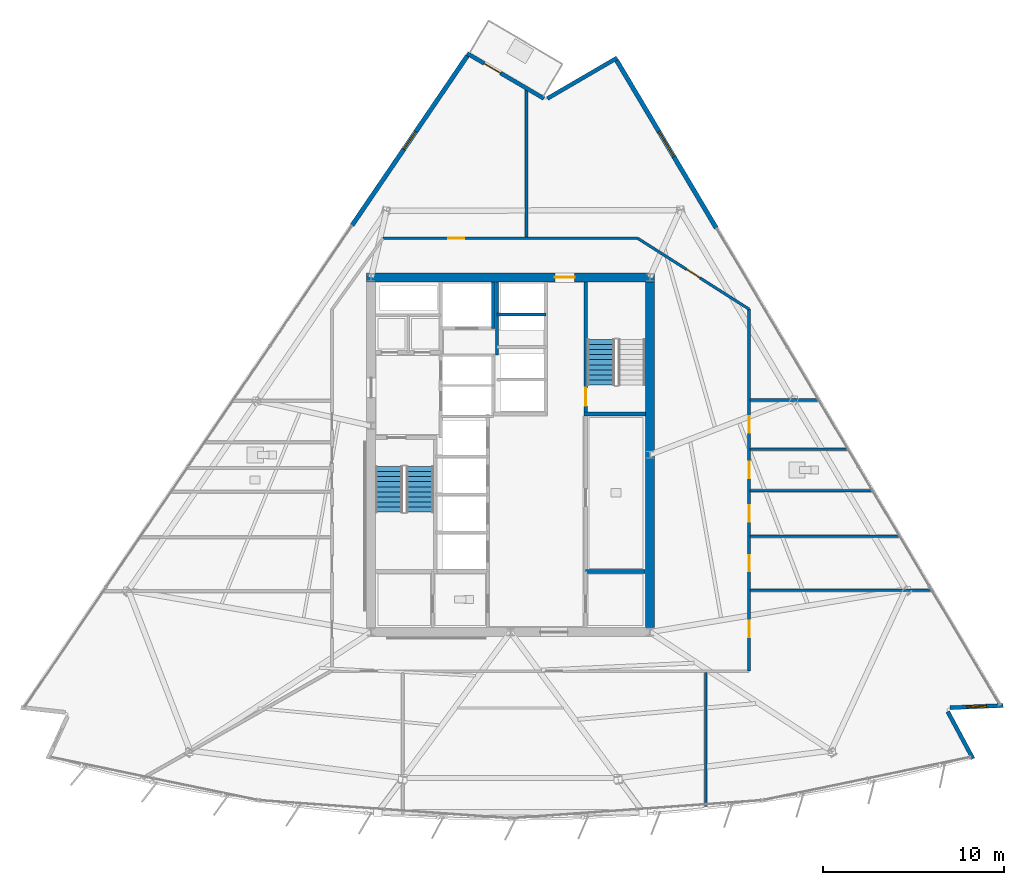
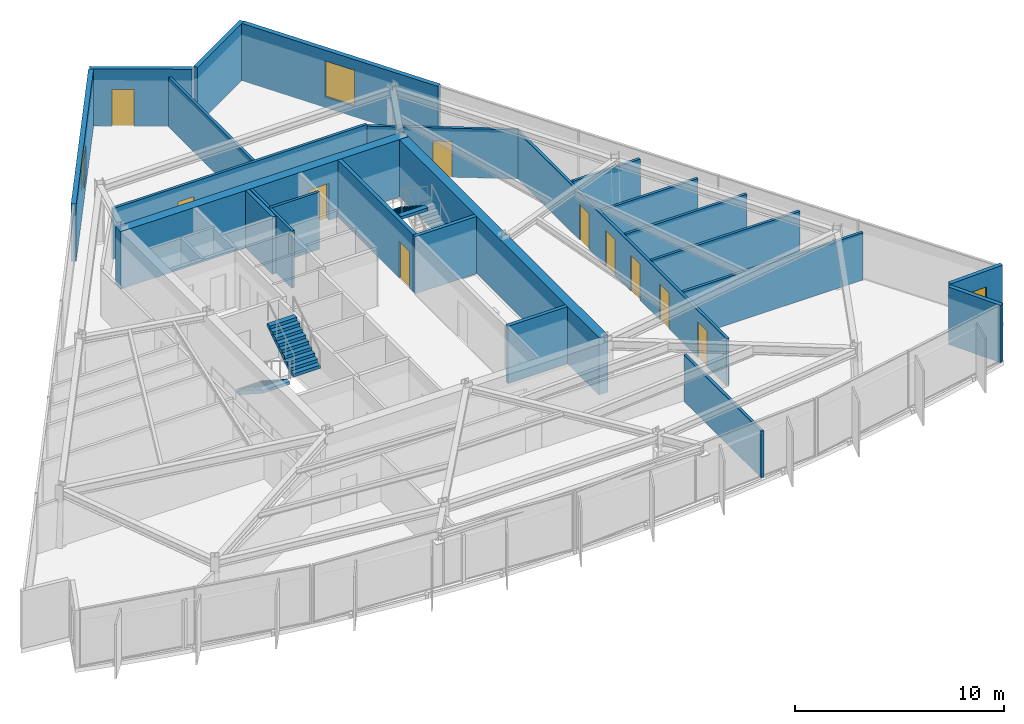
# One storey, part 10 of 16: 24 walls, 10 doors, 3 stair flights, 3 windows, 13 openings, 2 elements without a shape of their own.
"""IFC4 building model written with IfcOpenShell, lengths in metres."""

from ifc_helpers import new_model, si_unit, direction, frame, frame_2d, origin, place, context, subcontext, project, spatial, polyline, rectangle, outline, extrude, material, layer, layer_set, type_object, element, fill, aggregate, save


model = new_model("IFC4")

# Units and contexts
model_context = context("Model", 3, precision=1e-05, world=origin(), true_north=direction((0.0, 1.0)))
body_context = subcontext(model_context, "Body", "Model", "MODEL_VIEW")
ifc_project = project(units=[si_unit("LENGTHUNIT", "METRE"), si_unit("AREAUNIT", "SQUARE_METRE"), si_unit("VOLUMEUNIT", "CUBIC_METRE"), si_unit("PLANEANGLEUNIT", "RADIAN"), si_unit("MASSUNIT", "GRAM", prefix="KILO")], contexts=[model_context])

# Site, building, storey
site_placement = place(None, origin())
site = spatial("IfcSite", under=ifc_project, at=site_placement, CompositionType="ELEMENT")
building_placement = place(site_placement, origin())
building = spatial("IfcBuilding", under=site, at=building_placement, Name="Savorim Split Tower", CompositionType="ELEMENT")
storey_placement = place(building_placement, frame((0.0, 0.0, 156.60009765625)))
storey = spatial("IfcBuildingStorey", under=building, at=storey_placement, Name="L41", CompositionType="ELEMENT", Elevation=156.60009765625)

# Wall, opening, door
ifc_material_1 = material(Name="Concrete C60/75", Category="concrete")
ifc_layer_1 = layer(ifc_material_1, 0.5)
ifc_layer_set_1 = layer_set([ifc_layer_1], Name="WAL-COR-SH500")
wall_type_1 = type_object("IfcWallType", Name="WAL-COR-SH500", PredefinedType="SHEAR", material=ifc_layer_set_1)
wall_1_placement = place(storey_placement, frame((7.949951171875, 10.199951171875, 0.0), z_axis=(0.0, 0.0, 1.0), x_axis=(-1.0, 0.0, 0.0)))
wall_1 = element("IfcWall", 1, at=wall_1_placement, inside=storey, type_object=wall_type_1, Name="L41 Offset Core North Shear Wall", PredefinedType="SHEAR", context=body_context, shape_type="SweptSolid", body=[
    extrude(rectangle(XDim=15.89990234375, YDim=0.5, at=frame_2d((7.949951171875, 0.0))), origin(), (0.0, 0.0, 1.0), 3.349853515625),
])
opening_1_placement = place(wall_1_placement, frame((4.39990234375, 0.0, 0.0)))
opening_1 = element("IfcOpeningElement", 2, at=opening_1_placement, cuts=wall_1, Name="Opening DI-03", PredefinedType="OPENING", context=body_context, shape_type="SweptSolid", body=[
    extrude(rectangle(XDim=1.10009765625, YDim=2.14990234375, at=frame_2d((0.550048828125, 1.074951171875))), frame((0.0, 0.260009765625, 0.0), z_axis=(0.0, -1.0, 0.0), x_axis=(1.0, 0.0, 0.0)), (0.0, 0.0, 1.0), 0.52001953125),
])
ifc_material_2 = material(Name="Timber Fire Door Leaf", Category="wood")
door_type_1 = type_object("IfcDoorType", Name="DOR-FIR-1100", OperationType="NOTDEFINED", PredefinedType="DOOR", material=ifc_material_2)
door_1_placement = place(opening_1_placement, origin())
door_1 = element("IfcDoor", 3, at=door_1_placement, inside=storey, type_object=door_type_1, Name="DOR-L41-COR-NLOB - L41 North Corridor Lobby Fire Door", OperationType="SINGLE_SWING_RIGHT", OverallHeight=2.14990234375, OverallWidth=1.10009765625, PredefinedType="DOOR", context=body_context, shape_type="SweptSolid", body=[
    extrude(rectangle(XDim=1.10009765625, YDim=2.14990234375, at=frame_2d((0.550048828125, 1.074951171875))), frame((0.0, 0.02490234375, 0.0), z_axis=(0.0, -1.0, 0.0), x_axis=(1.0, 0.0, 0.0)), (0.0, 0.0, 1.0), 0.050048828125),
])
fill(opening_1, door_1)

# Walls
wall_2_placement = place(storey_placement, frame((7.699951171875, 9.949951171875, 0.0), z_axis=(0.0, 0.0, 1.0), x_axis=(0.0, -1.0, 0.0)))
element("IfcWall", 4, at=wall_2_placement, inside=storey, type_object=wall_type_1, Name="L41 Offset Core East Shear Wall", PredefinedType="SHEAR", context=body_context, shape_type="SweptSolid", body=[
    extrude(rectangle(XDim=19.099853515625, YDim=0.5, at=frame_2d((9.5498046875, 0.0))), origin(), (0.0, 0.0, 1.0), 3.349853515625),
])
ifc_material_3 = material(Name="Precast concrete C40/50", Category="concrete")
ifc_layer_2 = layer(ifc_material_3, 0.219970703125)
ifc_layer_set_2 = layer_set([ifc_layer_2], Name="WAL-EXT-CRN220")
wall_type_2 = type_object("IfcWallType", Name="WAL-EXT-CRN220", PredefinedType="SOLIDWALL", material=ifc_layer_set_2)
wall_3_placement = place(storey_placement, frame((24.15478515625, -13.789794921875, 0.0), z_axis=(0.0, 0.0, 1.0), x_axis=(0.472795751791, -0.881172047383, 0.0)))
element("IfcWall", 5, at=wall_3_placement, inside=storey, type_object=wall_type_2, Name="L41 Notched Corner Facade Wall SE1", PredefinedType="SOLIDWALL", context=body_context, shape_type="SweptSolid", body=[
    extrude(rectangle(XDim=2.948486328125, YDim=0.219970703125, at=frame_2d((1.47412109375, 0.0))), origin(), (0.0, 0.0, 1.0), 3.349853515625),
])

# Wall, opening, window
wall_4_placement = place(storey_placement, frame((27.219482421875, -13.450927734375, 0.0), z_axis=(0.0, 0.0, 1.0), x_axis=(-0.999095615947, -0.042519997593, 0.0)))
wall_4 = element("IfcWall", 6, at=wall_4_placement, inside=storey, type_object=wall_type_2, Name="L41 Notched Corner Facade Wall SE", PredefinedType="SOLIDWALL", context=body_context, shape_type="SweptSolid", body=[
    extrude(rectangle(XDim=2.945556640625, YDim=0.219970703125, at=frame_2d((1.47265625, 0.0))), origin(), (0.0, 0.0, 1.0), 3.349853515625),
])
opening_2_placement = place(wall_4_placement, frame((0.9228515625, 0.0, 0.6201171875)))
opening_2 = element("IfcOpeningElement", 7, at=opening_2_placement, cuts=wall_4, Name="Opening WN-09", PredefinedType="OPENING", context=body_context, shape_type="SweptSolid", body=[
    extrude(rectangle(XDim=1.10009765625, YDim=1.800048828125, at=frame_2d((0.550048828125, 0.89990234375))), frame((0.0, 0.119873046875, 0.0), z_axis=(0.0, -1.0, 0.0), x_axis=(1.0, 0.0, 0.0)), (0.0, 0.0, 1.0), 0.239990234375),
])
ifc_material_4 = material(Name="Low-E Operable Double Glazing", Category="glass")
window_type_1 = type_object("IfcWindowType", Name="WIN-TWR-1100x1800", PartitioningType="SINGLE_PANEL", PredefinedType="WINDOW", material=ifc_material_4)
window_1_placement = place(opening_2_placement, origin())
window_1 = element("IfcWindow", 8, at=window_1_placement, inside=storey, type_object=window_type_1, Name="L41 Operable Corner Window SE", OverallHeight=1.800048828125, OverallWidth=1.10009765625, PartitioningType="SINGLE_PANEL", PredefinedType="WINDOW", context=body_context, shape_type="SweptSolid", body=[
    extrude(rectangle(XDim=1.10009765625, YDim=1.800048828125, at=frame_2d((0.550048828125, 0.89990234375))), frame((0.0, 0.030029296875, 0.0), z_axis=(0.0, -1.0, 0.0), x_axis=(1.0, 0.0, 0.0)), (0.0, 0.0, 1.0), 0.06005859375),
])
fill(opening_2, window_1)

# Wall
wall_5_placement = place(storey_placement, frame((2.03857421875, 20.079345703125, 0.0), z_axis=(0.0, 0.0, 1.0), x_axis=(0.86398603623, 0.503515768571, 0.0)))
element("IfcWall", 9, at=wall_5_placement, inside=storey, type_object=wall_type_2, Name="L41 Notched Corner Facade Wall NE1", PredefinedType="SOLIDWALL", context=body_context, shape_type="SweptSolid", body=[
    extrude(rectangle(XDim=4.4443359375, YDim=0.219970703125, at=frame_2d((2.22216796875, 0.0))), origin(), (0.0, 0.0, 1.0), 3.349853515625),
])

# Wall, opening, door
wall_6_placement = place(storey_placement, frame((-2.384521484375, 22.5673828125, 0.0), z_axis=(0.0, 0.0, 1.0), x_axis=(0.8621258938, -0.506694131839, 0.0)))
wall_6 = element("IfcWall", 10, at=wall_6_placement, inside=storey, type_object=wall_type_2, Name="L41 Notched Corner Facade Wall N", PredefinedType="SOLIDWALL", context=body_context, shape_type="SweptSolid", body=[
    extrude(rectangle(XDim=4.909912109375, YDim=0.219970703125, at=frame_2d((2.455078125, 0.0))), origin(), (0.0, 0.0, 1.0), 3.349853515625),
])
opening_3_placement = place(wall_6_placement, frame((1.079833984375, 0.0, 0.0)))
opening_3 = element("IfcOpeningElement", 11, at=opening_3_placement, cuts=wall_6, Name="Opening DB-01", PredefinedType="OPENING", context=body_context, shape_type="SweptSolid", body=[
    extrude(rectangle(XDim=1.050048828125, YDim=2.14990234375, at=frame_2d((0.52490234375, 1.074951171875))), frame((0.0, 0.119873046875, 0.0), z_axis=(0.0, -1.0, 0.0), x_axis=(1.0, 0.0, 0.0)), (0.0, 0.0, 1.0), 0.239990234375),
])
ifc_material_5 = material(Name="Charcoal Anodised Aluminium", Category="aluminium")
door_type_2 = type_object("IfcDoorType", Name="DOR-BAL-1050", OperationType="NOTDEFINED", PredefinedType="DOOR", material=ifc_material_5)
door_2_placement = place(opening_3_placement, origin())
door_2 = element("IfcDoor", 12, at=door_2_placement, inside=storey, type_object=door_type_2, Name="DOR-L41-TBAL-N - L41 Planted Tree Balcony Door N", OperationType="SINGLE_SWING_RIGHT", OverallHeight=2.14990234375, OverallWidth=1.050048828125, PredefinedType="DOOR", context=body_context, shape_type="SweptSolid", body=[
    extrude(rectangle(XDim=1.050048828125, YDim=2.14990234375, at=frame_2d((0.52490234375, 1.074951171875))), frame((0.0, 0.02490234375, 0.0), z_axis=(0.0, -1.0, 0.0), x_axis=(1.0, 0.0, 0.0)), (0.0, 0.0, 1.0), 0.050048828125),
])
fill(opening_3, door_2)

# Wall, opening, window
ifc_layer_3 = layer(ifc_material_3, 0.25)
ifc_layer_set_3 = layer_set([ifc_layer_3], Name="WAL-EXT-SPN250")
wall_type_3 = type_object("IfcWallType", Name="WAL-EXT-SPN250", PredefinedType="SOLIDWALL", material=ifc_layer_set_3)
wall_7_placement = place(storey_placement, frame((5.86181640625, 22.1904296875, 0.0), z_axis=(0.0, 0.0, 1.0), x_axis=(0.511083986456, -0.859530778267, 0.0)))
wall_7 = element("IfcWall", 13, at=wall_7_placement, inside=storey, type_object=wall_type_3, Name="L41 East Operable Window Pier", PredefinedType="SOLIDWALL", context=body_context, shape_type="SweptSolid", body=[
    extrude(rectangle(XDim=10.778076171875, YDim=0.25, at=frame_2d((5.38916015625, 0.0))), origin(), (0.0, 0.0, 1.0), 3.349853515625),
])
opening_4_placement = place(wall_7_placement, frame((4.589111328125, 0.0, 0.6201171875)))
opening_4 = element("IfcOpeningElement", 14, at=opening_4_placement, cuts=wall_7, Name="Opening WN-05", PredefinedType="OPENING", context=body_context, shape_type="SweptSolid", body=[
    extrude(rectangle(XDim=1.60009765625, YDim=2.10009765625, at=frame_2d((0.800048828125, 1.050048828125))), frame((0.0, 0.135009765625, 0.0), z_axis=(0.0, -1.0, 0.0), x_axis=(1.0, 0.0, 0.0)), (0.0, 0.0, 1.0), 0.27001953125),
])
window_type_2 = type_object("IfcWindowType", Name="WIN-TWR-1600x2100", PartitioningType="DOUBLE_PANEL_VERTICAL", PredefinedType="WINDOW", material=ifc_material_4)
window_2_placement = place(opening_4_placement, origin())
window_2 = element("IfcWindow", 15, at=window_2_placement, inside=storey, type_object=window_type_2, Name="L41 East Operable Ventilation Window", OverallHeight=2.10009765625, OverallWidth=1.60009765625, PartitioningType="SINGLE_PANEL", PredefinedType="WINDOW", context=body_context, shape_type="SweptSolid", body=[
    extrude(rectangle(XDim=1.60009765625, YDim=2.10009765625, at=frame_2d((0.800048828125, 1.050048828125))), frame((0.0, 0.030029296875, 0.0), z_axis=(0.0, -1.0, 0.0), x_axis=(1.0, 0.0, 0.0)), (0.0, 0.0, 1.0), 0.06005859375),
])
fill(opening_4, window_2)

wall_8_placement = place(storey_placement, frame((-8.75048828125, 13.080810546875, 0.0), z_axis=(0.0, 0.0, 1.0), x_axis=(0.562463958751, 0.82682180372, 0.0)))
wall_8 = element("IfcWall", 16, at=wall_8_placement, inside=storey, type_object=wall_type_3, Name="L41 West Operable Window Pier", PredefinedType="SOLIDWALL", context=body_context, shape_type="SweptSolid", body=[
    extrude(rectangle(XDim=11.321533203125, YDim=0.25, at=frame_2d((5.66064453125, 0.0))), origin(), (0.0, 0.0, 1.0), 3.349853515625),
])
opening_5_placement = place(wall_8_placement, frame((5.060791015625, 0.0, 0.6201171875)))
opening_5 = element("IfcOpeningElement", 17, at=opening_5_placement, cuts=wall_8, Name="Opening WN-08", PredefinedType="OPENING", context=body_context, shape_type="SweptSolid", body=[
    extrude(rectangle(XDim=1.199951171875, YDim=1.800048828125, at=frame_2d((0.60009765625, 0.89990234375))), frame((0.0, 0.135009765625, 0.0), z_axis=(0.0, -1.0, 0.0), x_axis=(1.0, 0.0, 0.0)), (0.0, 0.0, 1.0), 0.27001953125),
])
window_type_3 = type_object("IfcWindowType", Name="WIN-TWR-1200x1800", PartitioningType="SINGLE_PANEL", PredefinedType="WINDOW", material=ifc_material_4)
window_3_placement = place(opening_5_placement, origin())
window_3 = element("IfcWindow", 18, at=window_3_placement, inside=storey, type_object=window_type_3, Name="L41 West Operable Ventilation Window", OverallHeight=1.800048828125, OverallWidth=1.199951171875, PartitioningType="SINGLE_PANEL", PredefinedType="WINDOW", context=body_context, shape_type="SweptSolid", body=[
    extrude(rectangle(XDim=1.199951171875, YDim=1.800048828125, at=frame_2d((0.60009765625, 0.89990234375))), frame((0.0, 0.030029296875, 0.0), z_axis=(0.0, -1.0, 0.0), x_axis=(1.0, 0.0, 0.0)), (0.0, 0.0, 1.0), 0.06005859375),
])
fill(opening_5, window_3)

# Wall, opening, door
ifc_material_6 = material(Name="Concrete C50/60", Category="concrete")
ifc_layer_4 = layer(ifc_material_6, 0.199951171875)
ifc_layer_set_4 = layer_set([ifc_layer_4], Name="WAL-INT-RC200")
wall_type_4 = type_object("IfcWallType", Name="WAL-INT-RC200", PredefinedType="SOLIDWALL", material=ifc_layer_set_4)
wall_9_placement = place(storey_placement, frame((4.14990234375, 2.75, 0.0), z_axis=(0.0, 0.0, 1.0), x_axis=(0.0, 1.0, 0.0)))
wall_9 = element("IfcWall", 19, at=wall_9_placement, inside=storey, type_object=wall_type_4, Name="L41 Structural Shaft Wall W-L41-CR07", PredefinedType="SOLIDWALL", context=body_context, shape_type="SweptSolid", body=[
    extrude(rectangle(XDim=7.199951171875, YDim=0.199951171875, at=frame_2d((3.60009765625, 0.0))), origin(), (0.0, 0.0, 1.0), 3.349853515625),
])
opening_6_placement = place(wall_9_placement, frame((0.35009765625, 0.0, 0.0)))
opening_6 = element("IfcOpeningElement", 20, at=opening_6_placement, cuts=wall_9, Name="Opening DI-04", PredefinedType="OPENING", context=body_context, shape_type="SweptSolid", body=[
    extrude(rectangle(XDim=1.0, YDim=2.14990234375, at=frame_2d((0.5, 1.074951171875))), frame((0.0, 0.10986328125, 0.0), z_axis=(0.0, -1.0, 0.0), x_axis=(1.0, 0.0, 0.0)), (0.0, 0.0, 1.0), 0.219970703125),
])
door_type_3 = type_object("IfcDoorType", Name="DOR-FIR-1000", OperationType="NOTDEFINED", PredefinedType="DOOR", material=ifc_material_2)
door_3_placement = place(opening_6_placement, origin())
door_3 = element("IfcDoor", 21, at=door_3_placement, inside=storey, type_object=door_type_3, Name="DR-L41-ST2 - L41 Stair ST-2 Enclosure Door", OperationType="SINGLE_SWING_RIGHT", OverallHeight=2.14990234375, OverallWidth=1.0, PredefinedType="DOOR", context=body_context, shape_type="SweptSolid", body=[
    extrude(rectangle(XDim=1.0, YDim=2.14990234375, at=frame_2d((0.5, 1.074951171875))), frame((0.0, 0.02490234375, 0.0), z_axis=(0.0, -1.0, 0.0), x_axis=(1.0, 0.0, 0.0)), (0.0, 0.0, 1.0), 0.050048828125),
])
fill(opening_6, door_3)

# Walls
wall_10_placement = place(storey_placement, frame((4.050048828125, 2.64990234375, 0.0), z_axis=(0.0, 0.0, 1.0), x_axis=(1.0, 0.0, 0.0)))
element("IfcWall", 22, at=wall_10_placement, inside=storey, type_object=wall_type_4, Name="L41 Structural Shaft Wall W-L41-CR08", PredefinedType="SOLIDWALL", context=body_context, shape_type="SweptSolid", body=[
    extrude(rectangle(XDim=3.39990234375, YDim=0.199951171875, at=frame_2d((1.699951171875, 0.0))), origin(), (0.0, 0.0, 1.0), 3.349853515625),
])
wall_11_placement = place(storey_placement, frame((-0.949951171875, 7.3798828125, 0.0), z_axis=(0.0, 0.0, 1.0), x_axis=(0.0, 1.0, 0.0)))
element("IfcWall", 23, at=wall_11_placement, inside=storey, type_object=wall_type_4, Name="L41 Partition W-L41-SVLE", PredefinedType="SOLIDWALL", context=body_context, shape_type="SweptSolid", body=[
    extrude(rectangle(XDim=2.565185546875, YDim=0.199951171875, at=frame_2d((1.28271484375, 0.0))), origin(), (0.0, 0.0, 1.0), 3.349853515625),
])
wall_12_placement = place(storey_placement, frame((4.14990234375, -6.050048828125, 0.0), z_axis=(0.0, 0.0, 1.0), x_axis=(1.0, 0.0, 0.0)))
element("IfcWall", 24, at=wall_12_placement, inside=storey, type_object=wall_type_4, Name="L41 Partition W-L41-KSEP-E", PredefinedType="SOLIDWALL", context=body_context, shape_type="SweptSolid", body=[
    extrude(rectangle(XDim=3.295166015625, YDim=0.199951171875, at=frame_2d((1.6474609375, 0.0))), origin(), (0.0, 0.0, 1.0), 3.349853515625),
])
ifc_material_7 = material(Name="Acoustic Gypsum Partition Board")
ifc_layer_5 = layer(ifc_material_7, 0.14990234375)
ifc_layer_set_5 = layer_set([ifc_layer_5], Name="WAL-PAR-150")
wall_type_5 = type_object("IfcWallType", Name="WAL-PAR-150", PredefinedType="PARTITIONING", material=ifc_layer_set_5)
wall_13_placement = place(storey_placement, frame((-0.75, 5.919921875, 0.0), z_axis=(0.0, 0.0, 1.0), x_axis=(0.0, 1.0, 0.0)))
element("IfcWall", 25, at=wall_13_placement, inside=storey, type_object=wall_type_5, Name="L41 Partition W-L41-B3WEST", PredefinedType="PARTITIONING", context=body_context, shape_type="SweptSolid", body=[
    extrude(rectangle(XDim=4.025146484375, YDim=0.14990234375, at=frame_2d((2.0126953125, 0.0))), origin(), (0.0, 0.0, 1.0), 3.349853515625),
])
wall_14_placement = place(storey_placement, frame((-0.75, 8.14990234375, 0.0), z_axis=(0.0, 0.0, 1.0), x_axis=(1.0, 0.0, 0.0)))
element("IfcWall", 26, at=wall_14_placement, inside=storey, type_object=wall_type_5, Name="L41 Partition W-L41-B3DIV3", PredefinedType="PARTITIONING", context=body_context, shape_type="SweptSolid", body=[
    extrude(rectangle(XDim=2.699951171875, YDim=0.14990234375, at=frame_2d((1.35009765625, 0.0))), origin(), (0.0, 0.0, 1.0), 3.349853515625),
])

# Wall, opening, door
wall_15_placement = place(storey_placement, frame((-7.041015625, 12.360107421875, 0.0), z_axis=(0.0, 0.0, 1.0), x_axis=(1.0, 0.0, 0.0)))
wall_15 = element("IfcWall", 27, at=wall_15_placement, inside=storey, type_object=wall_type_5, Name="L41 Partition W-L41-COR-03", PredefinedType="PARTITIONING", context=body_context, shape_type="SweptSolid", body=[
    extrude(rectangle(XDim=14.064208984375, YDim=0.14990234375, at=frame_2d((7.0322265625, 0.0))), origin(), (0.0, 0.0, 1.0), 2.96484375),
])
opening_7_placement = place(wall_15_placement, frame((3.59912109375, 0.0, 0.0)))
opening_7 = element("IfcOpeningElement", 28, at=opening_7_placement, cuts=wall_15, Name="Opening DI-06", PredefinedType="OPENING", context=body_context, shape_type="SweptSolid", body=[
    extrude(rectangle(XDim=0.89990234375, YDim=2.10009765625, at=frame_2d((0.449951171875, 1.050048828125))), frame((0.0, 0.0849609375, 0.0), z_axis=(0.0, -1.0, 0.0), x_axis=(1.0, 0.0, 0.0)), (0.0, 0.0, 1.0), 0.169921875),
])
door_type_4 = type_object("IfcDoorType", Name="DOR-FIR-900", OperationType="NOTDEFINED", PredefinedType="DOOR", material=ifc_material_2)
door_4_placement = place(opening_7_placement, origin())
door_4 = element("IfcDoor", 29, at=door_4_placement, inside=storey, type_object=door_type_4, Name="DR-L41-RM14 - L41 Co-Working Commons Entry Door", OperationType="SINGLE_SWING_LEFT", OverallHeight=2.10009765625, OverallWidth=0.89990234375, PredefinedType="DOOR", context=body_context, shape_type="SweptSolid", body=[
    extrude(rectangle(XDim=0.89990234375, YDim=2.10009765625, at=frame_2d((0.449951171875, 1.050048828125))), frame((0.0, 0.02490234375, 0.0), z_axis=(0.0, -1.0, 0.0), x_axis=(1.0, 0.0, 0.0)), (0.0, 0.0, 1.0), 0.050048828125),
])
fill(opening_7, door_4)

wall_16_placement = place(storey_placement, frame((7.023193359375, 12.360107421875, 0.0), z_axis=(0.0, 0.0, 1.0), x_axis=(0.84376480085, -0.536713108511, 0.0)))
wall_16 = element("IfcWall", 30, at=wall_16_placement, inside=storey, type_object=wall_type_5, Name="L41 Partition W-L41-COR-04", PredefinedType="PARTITIONING", context=body_context, shape_type="SweptSolid", body=[
    extrude(rectangle(XDim=7.296630859375, YDim=0.14990234375, at=frame_2d((3.6484375, 0.0))), origin(), (0.0, 0.0, 1.0), 2.875),
])
opening_8_placement = place(wall_16_placement, frame((3.1982421875, 0.0, 0.0)))
opening_8 = element("IfcOpeningElement", 31, at=opening_8_placement, cuts=wall_16, Name="Opening DI-06", PredefinedType="OPENING", context=body_context, shape_type="SweptSolid", body=[
    extrude(rectangle(XDim=0.89990234375, YDim=2.10009765625, at=frame_2d((0.449951171875, 1.050048828125))), frame((0.0, 0.0849609375, 0.0), z_axis=(0.0, -1.0, 0.0), x_axis=(1.0, 0.0, 0.0)), (0.0, 0.0, 1.0), 0.169921875),
])
door_5_placement = place(opening_8_placement, origin())
door_5 = element("IfcDoor", 32, at=door_5_placement, inside=storey, type_object=door_type_4, Name="DR-L41-RM13 - L41 Co-Working Commons Entry Door", OperationType="SINGLE_SWING_RIGHT", OverallHeight=2.10009765625, OverallWidth=0.89990234375, PredefinedType="DOOR", context=body_context, shape_type="SweptSolid", body=[
    extrude(rectangle(XDim=0.89990234375, YDim=2.10009765625, at=frame_2d((0.449951171875, 1.050048828125))), frame((0.0, 0.02490234375, 0.0), z_axis=(0.0, -1.0, 0.0), x_axis=(1.0, 0.0, 0.0)), (0.0, 0.0, 1.0), 0.050048828125),
])
fill(opening_8, door_5)

# Wall, openings, doors
wall_17_placement = place(storey_placement, frame((13.179931640625, 8.44384765625, 0.0), z_axis=(0.0, 0.0, 1.0), x_axis=(0.0, -1.0, 0.0)))
wall_17 = element("IfcWall", 33, at=wall_17_placement, inside=storey, type_object=wall_type_5, Name="L41 Partition W-L41-COR-05", PredefinedType="PARTITIONING", context=body_context, shape_type="SweptSolid", body=[
    extrude(rectangle(XDim=20.00390625, YDim=0.14990234375, at=frame_2d((10.001953125, 0.0))), origin(), (0.0, 0.0, 1.0), 2.77490234375),
])
opening_9_placement = place(wall_17_placement, frame((17.2255859375, 0.0, 0.0)))
opening_9 = element("IfcOpeningElement", 34, at=opening_9_placement, cuts=wall_17, Name="Opening DI-06", PredefinedType="OPENING", context=body_context, shape_type="SweptSolid", body=[
    extrude(rectangle(XDim=0.89990234375, YDim=2.10009765625, at=frame_2d((0.449951171875, 1.050048828125))), frame((0.0, 0.0849609375, 0.0), z_axis=(0.0, -1.0, 0.0), x_axis=(1.0, 0.0, 0.0)), (0.0, 0.0, 1.0), 0.169921875),
])
opening_10_placement = place(wall_17_placement, frame((13.587158203125, 0.0, 0.0)))
opening_10 = element("IfcOpeningElement", 35, at=opening_10_placement, cuts=wall_17, Name="Opening DI-06", PredefinedType="OPENING", context=body_context, shape_type="SweptSolid", body=[
    extrude(rectangle(XDim=0.89990234375, YDim=2.10009765625, at=frame_2d((0.449951171875, 1.050048828125))), frame((0.0, 0.0849609375, 0.0), z_axis=(0.0, -1.0, 0.0), x_axis=(1.0, 0.0, 0.0)), (0.0, 0.0, 1.0), 0.169921875),
])
opening_11_placement = place(wall_17_placement, frame((10.84423828125, 0.0, 0.0)))
opening_11 = element("IfcOpeningElement", 36, at=opening_11_placement, cuts=wall_17, Name="Opening DI-06", PredefinedType="OPENING", context=body_context, shape_type="SweptSolid", body=[
    extrude(rectangle(XDim=0.89990234375, YDim=2.10009765625, at=frame_2d((0.449951171875, 1.050048828125))), frame((0.0, 0.0849609375, 0.0), z_axis=(0.0, -1.0, 0.0), x_axis=(1.0, 0.0, 0.0)), (0.0, 0.0, 1.0), 0.169921875),
])
opening_12_placement = place(wall_17_placement, frame((8.438720703125, 0.0, 0.0)))
opening_12 = element("IfcOpeningElement", 37, at=opening_12_placement, cuts=wall_17, Name="Opening DI-11", PredefinedType="OPENING", context=body_context, shape_type="SweptSolid", body=[
    extrude(rectangle(XDim=0.89990234375, YDim=2.10009765625, at=frame_2d((0.449951171875, 1.050048828125))), frame((0.0, 0.0849609375, 0.0), z_axis=(0.0, -1.0, 0.0), x_axis=(1.0, 0.0, 0.0)), (0.0, 0.0, 1.0), 0.169921875),
])
opening_13_placement = place(wall_17_placement, frame((5.929931640625, 0.0, 0.0)))
opening_13 = element("IfcOpeningElement", 38, at=opening_13_placement, cuts=wall_17, Name="Opening DI-06", PredefinedType="OPENING", context=body_context, shape_type="SweptSolid", body=[
    extrude(rectangle(XDim=0.89990234375, YDim=2.10009765625, at=frame_2d((0.449951171875, 1.050048828125))), frame((0.0, 0.0849609375, 0.0), z_axis=(0.0, -1.0, 0.0), x_axis=(1.0, 0.0, 0.0)), (0.0, 0.0, 1.0), 0.169921875),
])
door_6_placement = place(opening_9_placement, origin())
door_6 = element("IfcDoor", 39, at=door_6_placement, inside=storey, type_object=door_type_4, Name="DR-L41-RM08 - L41 Co-Working Commons Entry Door", OperationType="SINGLE_SWING_LEFT", OverallHeight=2.10009765625, OverallWidth=0.89990234375, PredefinedType="DOOR", context=body_context, shape_type="SweptSolid", body=[
    extrude(rectangle(XDim=0.89990234375, YDim=2.10009765625, at=frame_2d((0.449951171875, 1.050048828125))), frame((0.0, 0.02490234375, 0.0), z_axis=(0.0, -1.0, 0.0), x_axis=(1.0, 0.0, 0.0)), (0.0, 0.0, 1.0), 0.050048828125),
])
fill(opening_9, door_6)
door_7_placement = place(opening_10_placement, origin())
door_7 = element("IfcDoor", 40, at=door_7_placement, inside=storey, type_object=door_type_4, Name="DR-L41-RM09 - L41 Co-Working Commons Entry Door", OperationType="SINGLE_SWING_RIGHT", OverallHeight=2.10009765625, OverallWidth=0.89990234375, PredefinedType="DOOR", context=body_context, shape_type="SweptSolid", body=[
    extrude(rectangle(XDim=0.89990234375, YDim=2.10009765625, at=frame_2d((0.449951171875, 1.050048828125))), frame((0.0, 0.02490234375, 0.0), z_axis=(0.0, -1.0, 0.0), x_axis=(1.0, 0.0, 0.0)), (0.0, 0.0, 1.0), 0.050048828125),
])
fill(opening_10, door_7)
door_8_placement = place(opening_11_placement, origin())
door_8 = element("IfcDoor", 41, at=door_8_placement, inside=storey, type_object=door_type_4, Name="DR-L41-RM10 - L41 Co-Working Commons Entry Door", OperationType="SINGLE_SWING_LEFT", OverallHeight=2.10009765625, OverallWidth=0.89990234375, PredefinedType="DOOR", context=body_context, shape_type="SweptSolid", body=[
    extrude(rectangle(XDim=0.89990234375, YDim=2.10009765625, at=frame_2d((0.449951171875, 1.050048828125))), frame((0.0, 0.02490234375, 0.0), z_axis=(0.0, -1.0, 0.0), x_axis=(1.0, 0.0, 0.0)), (0.0, 0.0, 1.0), 0.050048828125),
])
fill(opening_11, door_8)
door_9_placement = place(opening_13_placement, origin())
door_9 = element("IfcDoor", 42, at=door_9_placement, inside=storey, type_object=door_type_4, Name="DR-L41-RM12 - L41 Quiet Study Room Entry Door", OperationType="SINGLE_SWING_LEFT", OverallHeight=2.10009765625, OverallWidth=0.89990234375, PredefinedType="DOOR", context=body_context, shape_type="SweptSolid", body=[
    extrude(rectangle(XDim=0.89990234375, YDim=2.10009765625, at=frame_2d((0.449951171875, 1.050048828125))), frame((0.0, 0.02490234375, 0.0), z_axis=(0.0, -1.0, 0.0), x_axis=(1.0, 0.0, 0.0)), (0.0, 0.0, 1.0), 0.050048828125),
])
fill(opening_13, door_9)
ifc_material_8 = material(Name="Oak Veneer Acoustic Door")
door_type_5 = type_object("IfcDoorType", Name="DOR-WC-900", OperationType="NOTDEFINED", PredefinedType="DOOR", material=ifc_material_8)
door_10_placement = place(opening_12_placement, origin())
door_10 = element("IfcDoor", 43, at=door_10_placement, inside=storey, type_object=door_type_5, Name="DR-L41-RM11 - L41 Shared Bathroom Entry Door", OperationType="SINGLE_SWING_RIGHT", OverallHeight=2.10009765625, OverallWidth=0.89990234375, PredefinedType="DOOR", context=body_context, shape_type="SweptSolid", body=[
    extrude(rectangle(XDim=0.89990234375, YDim=2.10009765625, at=frame_2d((0.449951171875, 1.050048828125))), frame((0.0, 0.02490234375, 0.0), z_axis=(0.0, -1.0, 0.0), x_axis=(1.0, 0.0, 0.0)), (0.0, 0.0, 1.0), 0.050048828125),
])
fill(opening_12, door_10)

# Walls
wall_18_placement = place(storey_placement, frame((13.239990234375, -7.08154296875, 0.0), z_axis=(0.0, 0.0, 1.0), x_axis=(1.0, 0.0, 0.0)))
element("IfcWall", 44, at=wall_18_placement, inside=storey, type_object=wall_type_5, Name="L41 Partition W-L41-PRAD05", PredefinedType="PARTITIONING", context=body_context, shape_type="SweptSolid", body=[
    extrude(rectangle(XDim=9.96923828125, YDim=0.14990234375, at=frame_2d((4.984619140625, 0.0))), origin(), (0.0, 0.0, 1.0), 2.77490234375),
])
wall_19_placement = place(storey_placement, frame((13.239990234375, 3.421875, 0.0), z_axis=(0.0, 0.0, 1.0), x_axis=(1.0, 0.0, 0.0)))
element("IfcWall", 45, at=wall_19_placement, inside=storey, type_object=wall_type_5, Name="L41 Partition W-L41-PRAD06", PredefinedType="PARTITIONING", context=body_context, shape_type="SweptSolid", body=[
    extrude(rectangle(XDim=3.7236328125, YDim=0.14990234375, at=frame_2d((1.86181640625, 0.0))), origin(), (0.0, 0.0, 1.0), 2.885009765625),
])
wall_20_placement = place(storey_placement, frame((13.239990234375, -1.595947265625, 0.0), z_axis=(0.0, 0.0, 1.0), x_axis=(0.999999999338, 3.6399374e-05, 0.0)))
element("IfcWall", 46, at=wall_20_placement, inside=storey, type_object=wall_type_5, Name="L41 Partition W-L41-SUB02", PredefinedType="PARTITIONING", context=body_context, shape_type="SweptSolid", body=[
    extrude(rectangle(XDim=6.707275390625, YDim=0.14990234375, at=frame_2d((3.353515625, 0.0))), origin(), (0.0, 0.0, 1.0), 2.824951171875),
])
wall_21_placement = place(storey_placement, frame((10.78955078125, -11.6201171875, 0.0), z_axis=(0.0, 0.0, 1.0), x_axis=(0.0, -1.0, 0.0)))
element("IfcWall", 47, at=wall_21_placement, inside=storey, type_object=wall_type_5, Name="L41 Partition W-L41-SUB04", PredefinedType="PARTITIONING", context=body_context, shape_type="SweptSolid", body=[
    extrude(rectangle(XDim=7.407470703125, YDim=0.14990234375, at=frame_2d((3.70361328125, 0.0))), origin(), (0.0, 0.0, 1.0), 2.724853515625),
])
wall_22_placement = place(storey_placement, frame((13.239990234375, -4.104736328125, 0.0), z_axis=(0.0, 0.0, 1.0), x_axis=(1.0, 0.0, 0.0)))
element("IfcWall", 48, at=wall_22_placement, inside=storey, type_object=wall_type_5, Name="L41 Partition W-L41-SUB05", PredefinedType="PARTITIONING", context=body_context, shape_type="SweptSolid", body=[
    extrude(rectangle(XDim=8.19921875, YDim=0.14990234375, at=frame_2d((4.099609375, 0.0))), origin(), (0.0, 0.0, 1.0), 2.824951171875),
])
wall_23_placement = place(storey_placement, frame((13.239990234375, 0.7060546875, 0.0), z_axis=(0.0, 0.0, 1.0), x_axis=(1.0, 0.0, 0.0)))
element("IfcWall", 49, at=wall_23_placement, inside=storey, type_object=wall_type_5, Name="L41 Partition W-L41-SUB06", PredefinedType="PARTITIONING", context=body_context, shape_type="SweptSolid", body=[
    extrude(rectangle(XDim=5.338623046875, YDim=0.14990234375, at=frame_2d((2.66943359375, 0.0))), origin(), (0.0, 0.0, 1.0), 2.824951171875),
])
wall_24_placement = place(storey_placement, frame((0.87890625, 12.419921875, 0.0), z_axis=(0.0, 0.0, 1.0), x_axis=(0.0, 1.0, 0.0)))
element("IfcWall", 50, at=wall_24_placement, inside=storey, type_object=wall_type_5, Name="L41 Partition W-L41-SUB07", PredefinedType="PARTITIONING", context=body_context, shape_type="SweptSolid", body=[
    extrude(rectangle(XDim=8.17138671875, YDim=0.14990234375, at=frame_2d((4.085693359375, 0.0))), origin(), (0.0, 0.0, 1.0), 2.885009765625),
])

# Stair, stair flights
stair_type = type_object("IfcStairType", Name="STR-DOG-3600", PredefinedType="HALF_TURN_STAIR", material=ifc_material_6)
stair_1_placement = place(storey_placement, origin())
stair_1 = element("IfcStair", 51, at=stair_1_placement, inside=storey, type_object=stair_type, Name="L41 Core Protected Exit Stair ST-1", PredefinedType="HALF_TURN_STAIR")
stair_flight_type = type_object("IfcStairFlightType", Name="SFL-DOG-3600", PredefinedType="STRAIGHT", material=ifc_material_6)
stair_flight_1_placement = place(storey_placement, frame((-6.699951171875, -0.25, 0.0), z_axis=(0.0, 0.0, 1.0), x_axis=(0.0, -1.0, 0.0)))
stair_flight_1 = element("IfcStairFlight", 52, at=stair_flight_1_placement, type_object=stair_flight_type, Name="ST-1 flight 1", NumberOfRisers=10, NumberOfTreads=9, PredefinedType="STRAIGHT", RiserHeight=0.18, TreadLength=0.28, context=body_context, shape_type="SweptSolid", body=[
    extrude(outline(polyline([(0.0, 0.0), (0.0, 0.179931640625), (0.280029296875, 0.179931640625), (0.280029296875, 0.360107421875), (0.56005859375, 0.360107421875), (0.56005859375, 0.5400390625), (0.840087890625, 0.5400390625), (0.840087890625, 0.719970703125), (1.1201171875, 0.719970703125), (1.1201171875, 0.89990234375), (1.39990234375, 0.89990234375), (1.39990234375, 1.080078125), (1.679931640625, 1.080078125), (1.679931640625, 1.260009765625), (1.9599609375, 1.260009765625), (1.9599609375, 1.43994140625), (2.239990234375, 1.43994140625), (2.239990234375, 1.6201171875), (2.52001953125, 1.6201171875), (2.52001953125, 1.800048828125), (2.52001953125, 1.44189453125), (0.277099609375, 0.0), (0.0, 0.0)])), frame((0.0, 0.75, 0.0), z_axis=(0.0, -1.0, 0.0), x_axis=(1.0, 0.0, 0.0)), (0.0, 0.0, 1.0), 1.5),
])
stair_flight_2_placement = place(storey_placement, frame((-5.0, -2.77001953125, 1.7998046875), z_axis=(0.0, 0.0, 1.0), x_axis=(0.0, 1.0, 0.0)))
stair_flight_2 = element("IfcStairFlight", 53, at=stair_flight_2_placement, type_object=stair_flight_type, Name="ST-1 flight 2", NumberOfRisers=10, NumberOfTreads=9, PredefinedType="STRAIGHT", RiserHeight=0.18, TreadLength=0.28, context=body_context, shape_type="SweptSolid", body=[
    extrude(outline(polyline([(0.0, 0.0), (0.0, 0.179931640625), (0.280029296875, 0.179931640625), (0.280029296875, 0.360107421875), (0.56005859375, 0.360107421875), (0.56005859375, 0.5400390625), (0.840087890625, 0.5400390625), (0.840087890625, 0.719970703125), (1.1201171875, 0.719970703125), (1.1201171875, 0.89990234375), (1.39990234375, 0.89990234375), (1.39990234375, 1.080078125), (1.679931640625, 1.080078125), (1.679931640625, 1.260009765625), (1.9599609375, 1.260009765625), (1.9599609375, 1.43994140625), (2.239990234375, 1.43994140625), (2.239990234375, 1.6201171875), (2.52001953125, 1.6201171875), (2.52001953125, 1.800048828125), (2.52001953125, 1.44189453125), (0.277099609375, 0.0), (0.0, 0.0)])), frame((0.0, 0.75, 0.0), z_axis=(0.0, -1.0, 0.0), x_axis=(1.0, 0.0, 0.0)), (0.0, 0.0, 1.0), 1.5),
])
aggregate(stair_1, [stair_flight_1, stair_flight_2])

# Stair, stair flight
stair_2_placement = place(storey_placement, origin())
stair_2 = element("IfcStair", 54, at=stair_2_placement, inside=storey, type_object=stair_type, Name="L41 Core Protected Exit Stair ST-2", PredefinedType="HALF_TURN_STAIR")
stair_flight_3_placement = place(storey_placement, frame((5.0, 6.77001953125, 1.7998046875), z_axis=(0.0, 0.0, 1.0), x_axis=(0.0, -1.0, 0.0)))
stair_flight_3 = element("IfcStairFlight", 55, at=stair_flight_3_placement, type_object=stair_flight_type, Name="ST-2 flight 2", NumberOfRisers=10, NumberOfTreads=9, PredefinedType="STRAIGHT", RiserHeight=0.18, TreadLength=0.28, context=body_context, shape_type="SweptSolid", body=[
    extrude(outline(polyline([(0.0, 0.0), (0.0, 0.179931640625), (0.280029296875, 0.179931640625), (0.280029296875, 0.360107421875), (0.56005859375, 0.360107421875), (0.56005859375, 0.5400390625), (0.840087890625, 0.5400390625), (0.840087890625, 0.719970703125), (1.1201171875, 0.719970703125), (1.1201171875, 0.89990234375), (1.39990234375, 0.89990234375), (1.39990234375, 1.080078125), (1.679931640625, 1.080078125), (1.679931640625, 1.260009765625), (1.9599609375, 1.260009765625), (1.9599609375, 1.43994140625), (2.239990234375, 1.43994140625), (2.239990234375, 1.6201171875), (2.52001953125, 1.6201171875), (2.52001953125, 1.800048828125), (2.52001953125, 1.44189453125), (0.277099609375, 0.0), (0.0, 0.0)])), frame((0.0, 0.75, 0.0), z_axis=(0.0, -1.0, 0.0), x_axis=(1.0, 0.0, 0.0)), (0.0, 0.0, 1.0), 1.5),
])
aggregate(stair_2, [stair_flight_3])

save(model, "model.ifc")
